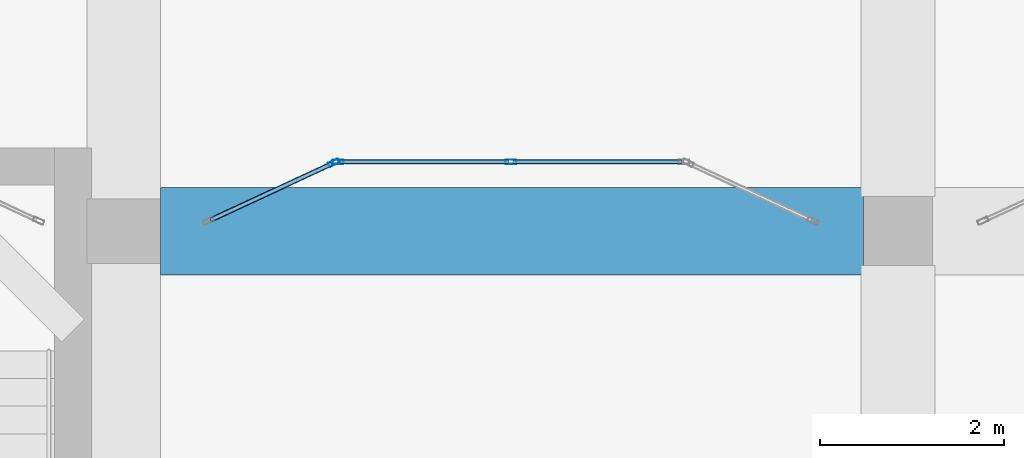
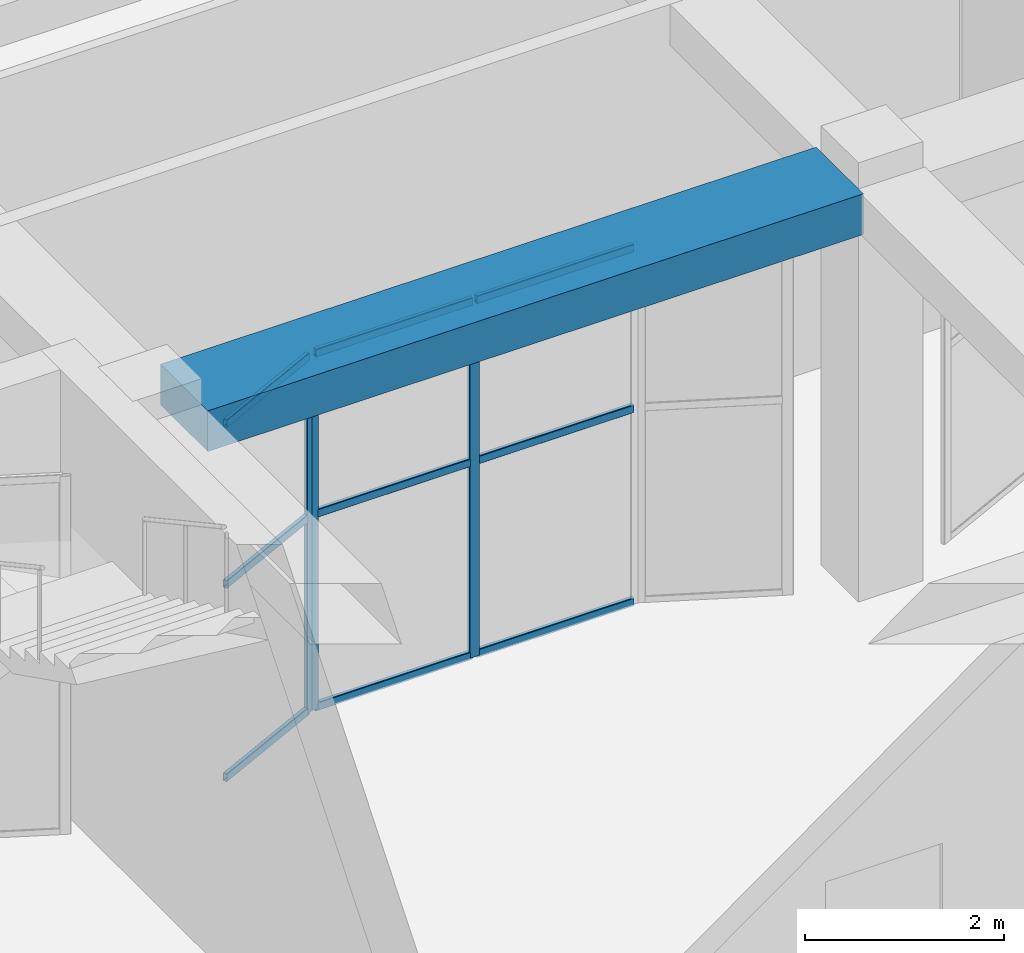
# One storey, part 6 of 84: 12 members, 1 beam, 2 elements without a shape of their own.
"""IFC4 building model written with IfcOpenShell, lengths in metres."""

from ifc_helpers import new_model, si_unit, derived_unit, direction, frame, origin, origin_2d, place, context, subcontext, project, spatial, rectangle, hollow_rectangle, extrude, material, material_profile, profile_set, type_object, element, aggregate, save


model = new_model("IFC4")

# Units and contexts
model_context = context("Model", 3, precision=1e-05, world=origin(), true_north=direction((0.0, 1.0)))
body_context = subcontext(model_context, "Body", "Model", "MODEL_VIEW")
ifc_project = project(units=[si_unit("LENGTHUNIT", "METRE"), si_unit("AREAUNIT", "SQUARE_METRE"), si_unit("VOLUMEUNIT", "CUBIC_METRE"), si_unit("PLANEANGLEUNIT", "RADIAN"), si_unit("MASSUNIT", "GRAM", prefix="KILO"), derived_unit("THERMALTRANSMITTANCEUNIT", [(si_unit("POWERUNIT", "WATT"), 1), (si_unit("LENGTHUNIT", "METRE"), -2), (si_unit("THERMODYNAMICTEMPERATUREUNIT", "KELVIN"), -1)])], contexts=[model_context])

# Site, building, storey
site_placement = place(None, origin())
site = spatial("IfcSite", under=ifc_project, at=site_placement, CompositionType="ELEMENT")
building_placement = place(site_placement, origin())
building = spatial("IfcBuilding", under=site, at=building_placement, Name="Veybourne Emporium", CompositionType="ELEMENT")
storey_placement = place(building_placement, origin())
storey = spatial("IfcBuildingStorey", under=building, at=storey_placement, Name="L00", CompositionType="ELEMENT", Elevation=0.0)

# Curtain wall, member
ifc_material_1 = material(Name="Patinated Architectural Bronze", Category="bronze")
curtain_wall_type_1 = type_object("IfcCurtainWallType", Name="CWSystem_CWI-02", PredefinedType="NOTDEFINED", material=ifc_material_1)
curtain_wall_1_placement = place(storey_placement, origin())
curtain_wall_1 = element("IfcCurtainWall", 1, at=curtain_wall_1_placement, inside=storey, type_object=curtain_wall_type_1, Name="Arcade bow-front boutique shopfront L00 bay 7 facet 1", PredefinedType="NOTDEFINED")
ifc_material_profile_1 = material_profile(ifc_material_1, hollow_rectangle(XDim=0.050048828125, YDim=0.1201171875, WallThickness=0.00390625, InnerFilletRadius=0.006103515625, OuterFilletRadius=0.010009765625, at=origin_2d()), Name="CWM 50x120x4")
ifc_profile_set_1 = profile_set([ifc_material_profile_1], Name="Patinated Architectural Bronze")
member_type_1 = type_object("IfcMemberType", Name="CWMullion_CW-M5", PredefinedType="MULLION", material=ifc_profile_set_1)
member_1_placement = place(storey_placement, frame((61.077392578125, 22.33935546875, 0.0), z_axis=(0.0, 0.0, 1.0), x_axis=(-0.421111306453, 0.907008967749, 0.0)))
member_1 = element("IfcMember", 2, at=member_1_placement, type_object=member_type_1, Name="CWI-02 mullion 2", PredefinedType="MULLION", context=body_context, shape_type="SweptSolid", body=[
    extrude(hollow_rectangle(XDim=0.050048828125, YDim=0.1201171875, WallThickness=0.00390625, InnerFilletRadius=0.006103515625, OuterFilletRadius=0.010009765625, at=origin_2d()), origin(), (0.0, 0.0, 1.0), 4.39990234375),
])

# Curtain wall, members
curtain_wall_type_2 = type_object("IfcCurtainWallType", Name="CWSystem_CWI-03", PredefinedType="NOTDEFINED", material=ifc_material_1)
curtain_wall_2_placement = place(storey_placement, origin())
curtain_wall_2 = element("IfcCurtainWall", 3, at=curtain_wall_2_placement, inside=storey, type_object=curtain_wall_type_2, Name="Arcade bow-front boutique shopfront L00 bay 7 facet 2", PredefinedType="NOTDEFINED")
member_2_placement = place(storey_placement, frame((61.125, 22.35009765625, 0.0), z_axis=(0.0, 0.0, 1.0), x_axis=(0.0, 1.0, 0.0)))
member_2 = element("IfcMember", 4, at=member_2_placement, type_object=member_type_1, Name="CWI-03 mullion 1", PredefinedType="MULLION", context=body_context, shape_type="SweptSolid", body=[
    extrude(hollow_rectangle(XDim=0.050048828125, YDim=0.1201171875, WallThickness=0.00390625, InnerFilletRadius=0.006103515625, OuterFilletRadius=0.010009765625, at=origin_2d()), origin(), (0.0, 0.0, 1.0), 4.39990234375),
])
member_3_placement = place(storey_placement, frame((63.0, 22.35009765625, 0.0), z_axis=(0.0, 0.0, 1.0), x_axis=(0.0, 1.0, 0.0)))
member_3 = element("IfcMember", 5, at=member_3_placement, type_object=member_type_1, Name="CWI-03 mullion 2", PredefinedType="MULLION", context=body_context, shape_type="SweptSolid", body=[
    extrude(hollow_rectangle(XDim=0.050048828125, YDim=0.1201171875, WallThickness=0.00390625, InnerFilletRadius=0.006103515625, OuterFilletRadius=0.010009765625, at=origin_2d()), origin(), (0.0, 0.0, 1.0), 4.39990234375),
])

# Member
ifc_material_profile_2 = material_profile(ifc_material_1, hollow_rectangle(XDim=0.050048828125, YDim=0.10009765625, WallThickness=0.00390625, InnerFilletRadius=0.006103515625, OuterFilletRadius=0.010009765625, at=origin_2d()), Name="CWT 50x100x4")
ifc_profile_set_2 = profile_set([ifc_material_profile_2], Name="Patinated Architectural Bronze")
member_type_2 = type_object("IfcMemberType", Name="CWTransom_CW-T5", PredefinedType="NOTDEFINED", material=ifc_profile_set_2)
member_4_placement = place(storey_placement, frame((59.745361328125, 21.720947265625, 0.02490234375), z_axis=(0.907006660705, 0.421116275435, 0.0), x_axis=(-0.421116275435, 0.907006660705, 0.0)))
member_4 = element("IfcMember", 6, at=member_4_placement, type_object=member_type_2, Name="CWI-02 transom 1.1", ObjectType="TRANSOM", PredefinedType="USERDEFINED", context=body_context, shape_type="SweptSolid", body=[
    extrude(hollow_rectangle(XDim=0.050048828125, YDim=0.10009765625, WallThickness=0.00390625, InnerFilletRadius=0.006103515625, OuterFilletRadius=0.010009765625, at=origin_2d()), origin(), (0.0, 0.0, 1.0), 1.443603515625),
])

member_5_placement = place(storey_placement, frame((59.745361328125, 21.720947265625, 2.39990234375), z_axis=(0.907006660705, 0.421116275435, 0.0), x_axis=(-0.421116275435, 0.907006660705, 0.0)))
member_5 = element("IfcMember", 7, at=member_5_placement, type_object=member_type_2, Name="CWI-02 transom 1.2", ObjectType="TRANSOM", PredefinedType="USERDEFINED", context=body_context, shape_type="SweptSolid", body=[
    extrude(hollow_rectangle(XDim=0.050048828125, YDim=0.10009765625, WallThickness=0.00390625, InnerFilletRadius=0.006103515625, OuterFilletRadius=0.010009765625, at=origin_2d()), origin(), (0.0, 0.0, 1.0), 1.443603515625),
])

member_6_placement = place(storey_placement, frame((59.745361328125, 21.720947265625, 4.375), z_axis=(0.907006660705, 0.421116275435, 0.0), x_axis=(-0.421116275435, 0.907006660705, 0.0)))
member_6 = element("IfcMember", 8, at=member_6_placement, type_object=member_type_2, Name="CWI-02 transom 1.3", ObjectType="TRANSOM", PredefinedType="USERDEFINED", context=body_context, shape_type="SweptSolid", body=[
    extrude(hollow_rectangle(XDim=0.050048828125, YDim=0.10009765625, WallThickness=0.00390625, InnerFilletRadius=0.006103515625, OuterFilletRadius=0.010009765625, at=origin_2d()), origin(), (0.0, 0.0, 1.0), 1.443603515625),
])

aggregate(curtain_wall_1, [member_1, member_4, member_5, member_6])

member_7_placement = place(storey_placement, frame((61.14990234375, 22.35009765625, 0.02490234375), z_axis=(1.0, 0.0, 0.0), x_axis=(0.0, 1.0, 0.0)))
member_7 = element("IfcMember", 9, at=member_7_placement, type_object=member_type_2, Name="CWI-03 transom 1.1", ObjectType="TRANSOM", PredefinedType="USERDEFINED", context=body_context, shape_type="SweptSolid", body=[
    extrude(hollow_rectangle(XDim=0.050048828125, YDim=0.10009765625, WallThickness=0.00390625, InnerFilletRadius=0.006103515625, OuterFilletRadius=0.010009765625, at=origin_2d()), origin(), (0.0, 0.0, 1.0), 1.8251953125),
])

member_8_placement = place(storey_placement, frame((61.14990234375, 22.35009765625, 2.39990234375), z_axis=(1.0, 0.0, 0.0), x_axis=(0.0, 1.0, 0.0)))
member_8 = element("IfcMember", 10, at=member_8_placement, type_object=member_type_2, Name="CWI-03 transom 1.2", ObjectType="TRANSOM", PredefinedType="USERDEFINED", context=body_context, shape_type="SweptSolid", body=[
    extrude(hollow_rectangle(XDim=0.050048828125, YDim=0.10009765625, WallThickness=0.00390625, InnerFilletRadius=0.006103515625, OuterFilletRadius=0.010009765625, at=origin_2d()), origin(), (0.0, 0.0, 1.0), 1.8251953125),
])

member_9_placement = place(storey_placement, frame((61.14990234375, 22.35009765625, 4.375), z_axis=(1.0, 0.0, 0.0), x_axis=(0.0, 1.0, 0.0)))
member_9 = element("IfcMember", 11, at=member_9_placement, type_object=member_type_2, Name="CWI-03 transom 1.3", ObjectType="TRANSOM", PredefinedType="USERDEFINED", context=body_context, shape_type="SweptSolid", body=[
    extrude(hollow_rectangle(XDim=0.050048828125, YDim=0.10009765625, WallThickness=0.00390625, InnerFilletRadius=0.006103515625, OuterFilletRadius=0.010009765625, at=origin_2d()), origin(), (0.0, 0.0, 1.0), 1.8251953125),
])

member_10_placement = place(storey_placement, frame((63.02490234375, 22.35009765625, 0.02490234375), z_axis=(1.0, 0.0, 0.0), x_axis=(0.0, 1.0, 0.0)))
member_10 = element("IfcMember", 12, at=member_10_placement, type_object=member_type_2, Name="CWI-03 transom 2.1", ObjectType="TRANSOM", PredefinedType="USERDEFINED", context=body_context, shape_type="SweptSolid", body=[
    extrude(hollow_rectangle(XDim=0.050048828125, YDim=0.10009765625, WallThickness=0.00390625, InnerFilletRadius=0.006103515625, OuterFilletRadius=0.010009765625, at=origin_2d()), origin(), (0.0, 0.0, 1.0), 1.8251953125),
])

member_11_placement = place(storey_placement, frame((63.02490234375, 22.35009765625, 2.39990234375), z_axis=(1.0, 0.0, 0.0), x_axis=(0.0, 1.0, 0.0)))
member_11 = element("IfcMember", 13, at=member_11_placement, type_object=member_type_2, Name="CWI-03 transom 2.2", ObjectType="TRANSOM", PredefinedType="USERDEFINED", context=body_context, shape_type="SweptSolid", body=[
    extrude(hollow_rectangle(XDim=0.050048828125, YDim=0.10009765625, WallThickness=0.00390625, InnerFilletRadius=0.006103515625, OuterFilletRadius=0.010009765625, at=origin_2d()), origin(), (0.0, 0.0, 1.0), 1.8251953125),
])

member_12_placement = place(storey_placement, frame((63.02490234375, 22.35009765625, 4.375), z_axis=(1.0, 0.0, 0.0), x_axis=(0.0, 1.0, 0.0)))
member_12 = element("IfcMember", 14, at=member_12_placement, type_object=member_type_2, Name="CWI-03 transom 2.3", ObjectType="TRANSOM", PredefinedType="USERDEFINED", context=body_context, shape_type="SweptSolid", body=[
    extrude(hollow_rectangle(XDim=0.050048828125, YDim=0.10009765625, WallThickness=0.00390625, InnerFilletRadius=0.006103515625, OuterFilletRadius=0.010009765625, at=origin_2d()), origin(), (0.0, 0.0, 1.0), 1.8251953125),
])

aggregate(curtain_wall_2, [member_2, member_3, member_7, member_8, member_9, member_10, member_11, member_12])

# Beam
ifc_material_2 = material(Name="Concrete C32/40", Category="concrete")
ifc_material_profile_3 = material_profile(ifc_material_2, rectangle(XDim=0.949951171875, YDim=0.5, at=origin_2d()), Name="RC 950x500")
ifc_profile_set_3 = profile_set([ifc_material_profile_3], Name="Concrete C32/40")
beam_type = type_object("IfcBeamType", Name="RCBeam_BB-01", PredefinedType="BEAM", material=ifc_profile_set_3)
beam_placement = place(storey_placement, frame((59.199951171875, 21.60009765625, 4.830078125), z_axis=(1.0, 0.0, 0.0), x_axis=(0.0, 1.0, 0.0)))
element("IfcBeam", 15, at=beam_placement, inside=storey, type_object=beam_type, Name="L00 X-grid beam BB-01 (7,3)", PredefinedType="BEAM", context=body_context, shape_type="SweptSolid", body=[
    extrude(rectangle(XDim=0.949951171875, YDim=0.5, at=origin_2d()), origin(), (0.0, 0.0, 1.0), 7.625),
])

save(model, "model.ifc")
